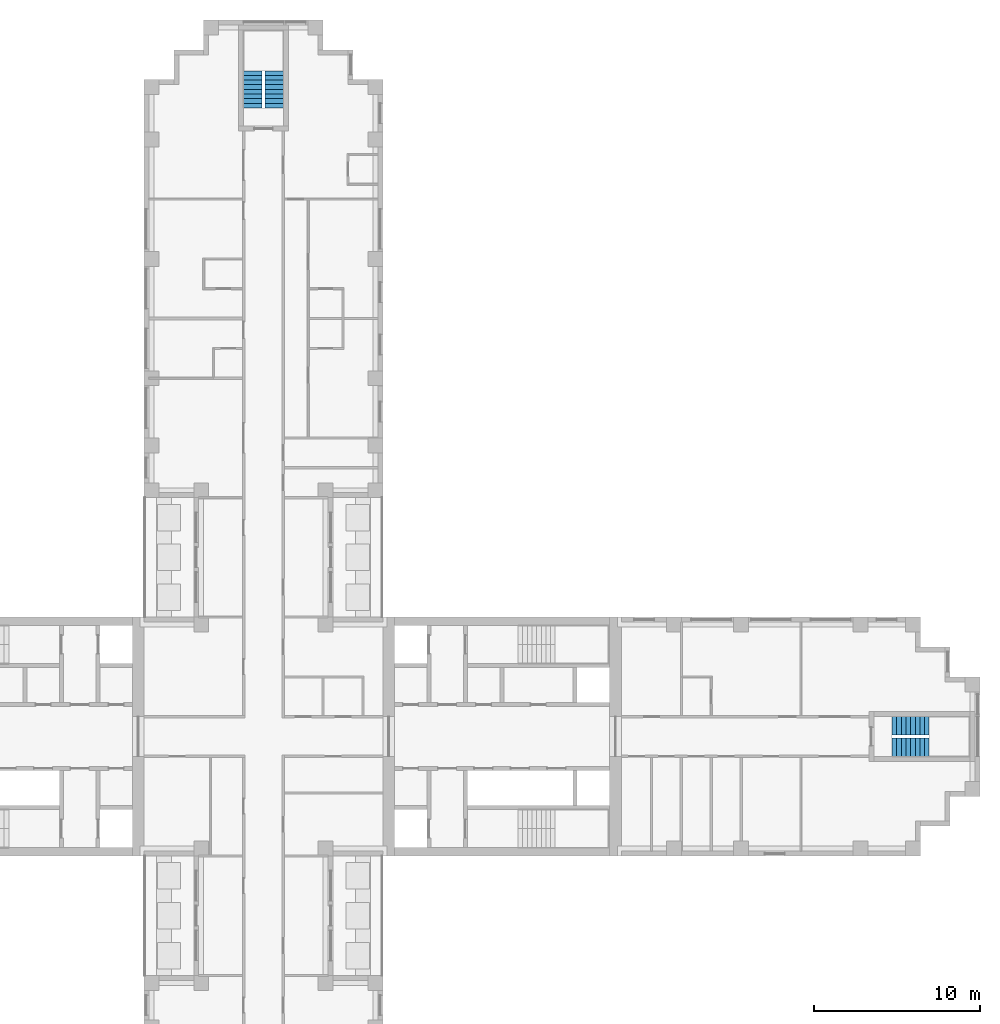
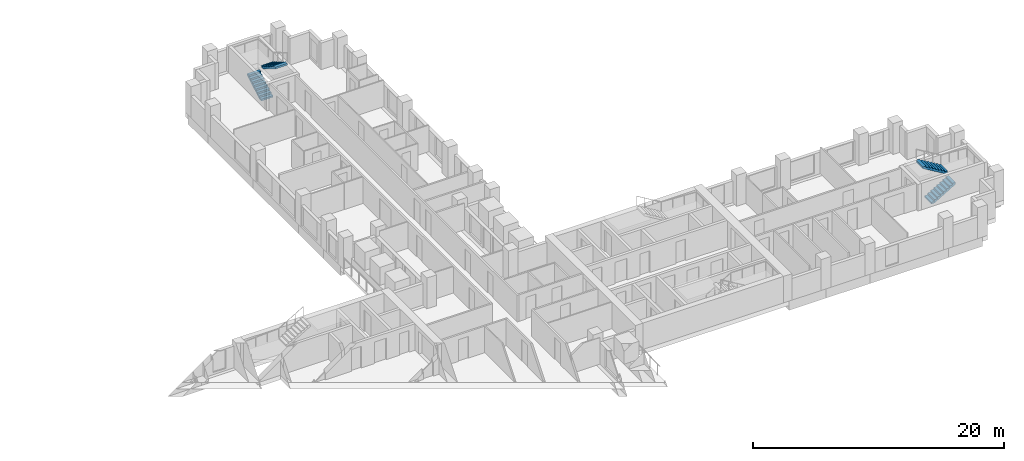
# One storey, part 13 of 15: 4 stair flights, 2 elements without a shape of their own.
"""IFC4 building model written with IfcOpenShell, lengths in metres."""

from ifc_helpers import new_model, si_unit, direction, frame, origin, place, context, subcontext, project, spatial, polyline, outline, extrude, material, type_object, element, aggregate, save


model = new_model("IFC4")

# Units and contexts
model_context = context("Model", 3, precision=1e-05, world=origin(), true_north=direction((0.0, 1.0)))
body_context = subcontext(model_context, "Body", "Model", "MODEL_VIEW")
ifc_project = project(units=[si_unit("LENGTHUNIT", "METRE"), si_unit("AREAUNIT", "SQUARE_METRE"), si_unit("VOLUMEUNIT", "CUBIC_METRE"), si_unit("PLANEANGLEUNIT", "RADIAN"), si_unit("MASSUNIT", "GRAM", prefix="KILO")], contexts=[model_context])

# Site, building, storey
site_placement = place(None, origin())
site = spatial("IfcSite", under=ifc_project, at=site_placement, CompositionType="ELEMENT")
building_placement = place(site_placement, origin())
building = spatial("IfcBuilding", under=site, at=building_placement, Name="Fustian Cross Tower", CompositionType="ELEMENT")
storey_placement = place(building_placement, frame((0.0, 0.0, 50.699951171875)))
storey = spatial("IfcBuildingStorey", under=building, at=storey_placement, Name="L15", CompositionType="ELEMENT", Elevation=50.699951171875)

# Stair, stair flights
ifc_material_1 = material(Name="Concrete C50/60", Category="concrete")
stair_type = type_object("IfcStairType", Name="STAIR 1100 HALF TURN", PredefinedType="HALF_TURN_STAIR", material=ifc_material_1)
stair_1_placement = place(storey_placement, origin())
stair_1 = element("IfcStair", 1, at=stair_1_placement, inside=storey, type_object=stair_type, Name="Stair ST5", PredefinedType="HALF_TURN_STAIR")
ifc_material_2 = material(Name="Concrete C50/60", Category="concrete")
stair_flight_type = type_object("IfcStairFlightType", Name="STAIR FLIGHT 1100", PredefinedType="STRAIGHT", material=ifc_material_2)
stair_flight_1_placement = place(storey_placement, frame((-0.64990234375, 37.89990234375, 0.0), z_axis=(0.0, 0.0, 1.0), x_axis=(0.0, 1.0, 0.0)))
stair_flight_1 = element("IfcStairFlight", 2, at=stair_flight_1_placement, type_object=stair_flight_type, Name="ST5 flight 1", NumberOfRisers=9, NumberOfTreads=8, PredefinedType="STRAIGHT", RiserHeight=0.166666667, TreadLength=0.28, context=body_context, shape_type="SweptSolid", body=[
    extrude(outline(polyline([(0.0, 0.0), (0.0, 0.166748046875), (0.280029296875, 0.166748046875), (0.280029296875, 0.333251953125), (0.56005859375, 0.333251953125), (0.56005859375, 0.5), (0.840087890625, 0.5), (0.840087890625, 0.666748046875), (1.1201171875, 0.666748046875), (1.1201171875, 0.833251953125), (1.39990234375, 0.833251953125), (1.39990234375, 1.0), (1.679931640625, 1.0), (1.679931640625, 1.166748046875), (1.9599609375, 1.166748046875), (1.9599609375, 1.333251953125), (2.239990234375, 1.333251953125), (2.239990234375, 1.5), (2.239990234375, 1.158935546875), (0.29296875, 0.0), (0.0, 0.0)])), frame((0.0, 0.550048828125, 0.0), z_axis=(0.0, -1.0, 0.0), x_axis=(1.0, 0.0, 0.0)), (0.0, 0.0, 1.0), 1.10009765625),
])
stair_flight_2_placement = place(storey_placement, frame((0.64990234375, 40.139892578125, 1.5), z_axis=(0.0, 0.0, 1.0), x_axis=(0.0, -1.0, 0.0)))
stair_flight_2 = element("IfcStairFlight", 3, at=stair_flight_2_placement, type_object=stair_flight_type, Name="ST5 flight 2", NumberOfRisers=9, NumberOfTreads=8, PredefinedType="STRAIGHT", RiserHeight=0.166666667, TreadLength=0.28, context=body_context, shape_type="SweptSolid", body=[
    extrude(outline(polyline([(0.0, 0.0), (0.0, 0.166748046875), (0.280029296875, 0.166748046875), (0.280029296875, 0.333251953125), (0.56005859375, 0.333251953125), (0.56005859375, 0.5), (0.840087890625, 0.5), (0.840087890625, 0.666748046875), (1.1201171875, 0.666748046875), (1.1201171875, 0.833251953125), (1.39990234375, 0.833251953125), (1.39990234375, 1.0), (1.679931640625, 1.0), (1.679931640625, 1.166748046875), (1.9599609375, 1.166748046875), (1.9599609375, 1.333251953125), (2.239990234375, 1.333251953125), (2.239990234375, 1.5), (2.239990234375, 1.158935546875), (0.29296875, 0.0), (0.0, 0.0)])), frame((0.0, 0.550048828125, 0.0), z_axis=(0.0, -1.0, 0.0), x_axis=(1.0, 0.0, 0.0)), (0.0, 0.0, 1.0), 1.10009765625),
])
aggregate(stair_1, [stair_flight_1, stair_flight_2])

stair_2_placement = place(storey_placement, origin())
stair_2 = element("IfcStair", 4, at=stair_2_placement, inside=storey, type_object=stair_type, Name="Stair ST8", PredefinedType="HALF_TURN_STAIR")
stair_flight_3_placement = place(storey_placement, frame((37.89990234375, -0.64990234375, 0.0), z_axis=(0.0, 0.0, 1.0), x_axis=(1.0, 0.0, 0.0)))
stair_flight_3 = element("IfcStairFlight", 5, at=stair_flight_3_placement, type_object=stair_flight_type, Name="ST8 flight 1", NumberOfRisers=9, NumberOfTreads=8, PredefinedType="STRAIGHT", RiserHeight=0.166666667, TreadLength=0.28, context=body_context, shape_type="SweptSolid", body=[
    extrude(outline(polyline([(0.0, 0.0), (0.0, 0.166748046875), (0.280029296875, 0.166748046875), (0.280029296875, 0.333251953125), (0.56005859375, 0.333251953125), (0.56005859375, 0.5), (0.840087890625, 0.5), (0.840087890625, 0.666748046875), (1.1201171875, 0.666748046875), (1.1201171875, 0.833251953125), (1.39990234375, 0.833251953125), (1.39990234375, 1.0), (1.679931640625, 1.0), (1.679931640625, 1.166748046875), (1.9599609375, 1.166748046875), (1.9599609375, 1.333251953125), (2.239990234375, 1.333251953125), (2.239990234375, 1.5), (2.239990234375, 1.158935546875), (0.29296875, 0.0), (0.0, 0.0)])), frame((0.0, 0.550048828125, 0.0), z_axis=(0.0, -1.0, 0.0), x_axis=(1.0, 0.0, 0.0)), (0.0, 0.0, 1.0), 1.10009765625),
])
stair_flight_4_placement = place(storey_placement, frame((40.139892578125, 0.64990234375, 1.5), z_axis=(0.0, 0.0, 1.0), x_axis=(-1.0, 0.0, 0.0)))
stair_flight_4 = element("IfcStairFlight", 6, at=stair_flight_4_placement, type_object=stair_flight_type, Name="ST8 flight 2", NumberOfRisers=9, NumberOfTreads=8, PredefinedType="STRAIGHT", RiserHeight=0.166666667, TreadLength=0.28, context=body_context, shape_type="SweptSolid", body=[
    extrude(outline(polyline([(0.0, 0.0), (0.0, 0.166748046875), (0.280029296875, 0.166748046875), (0.280029296875, 0.333251953125), (0.56005859375, 0.333251953125), (0.56005859375, 0.5), (0.840087890625, 0.5), (0.840087890625, 0.666748046875), (1.1201171875, 0.666748046875), (1.1201171875, 0.833251953125), (1.39990234375, 0.833251953125), (1.39990234375, 1.0), (1.679931640625, 1.0), (1.679931640625, 1.166748046875), (1.9599609375, 1.166748046875), (1.9599609375, 1.333251953125), (2.239990234375, 1.333251953125), (2.239990234375, 1.5), (2.239990234375, 1.158935546875), (0.29296875, 0.0), (0.0, 0.0)])), frame((0.0, 0.550048828125, 0.0), z_axis=(0.0, -1.0, 0.0), x_axis=(1.0, 0.0, 0.0)), (0.0, 0.0, 1.0), 1.10009765625),
])
aggregate(stair_2, [stair_flight_3, stair_flight_4])

save(model, "model.ifc")
